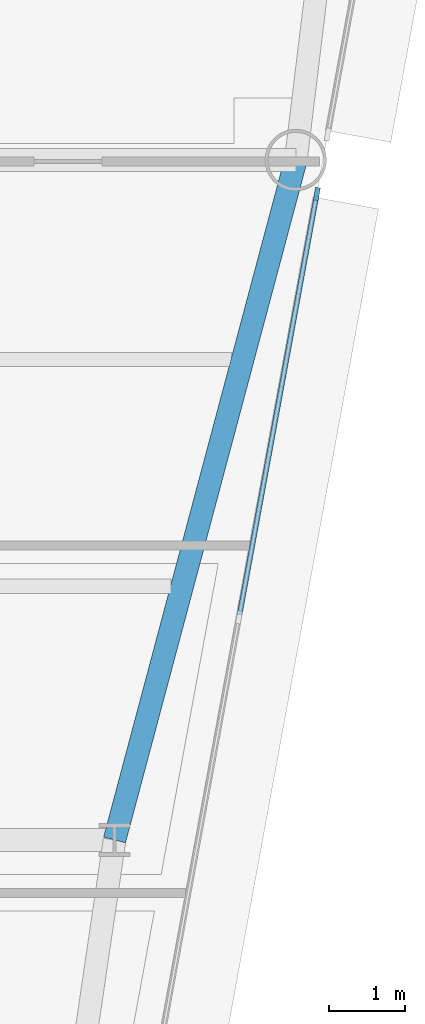
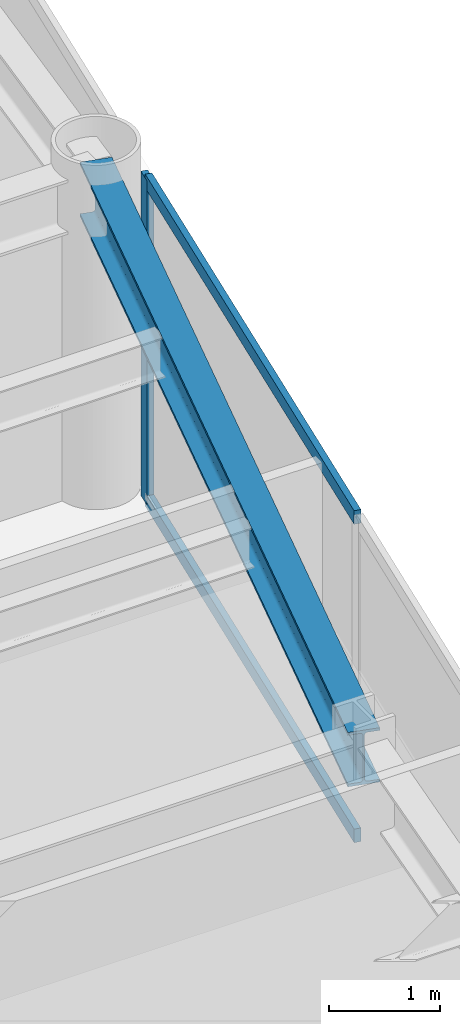
# One storey, part 6 of 17: 3 members, 1 beam, 1 element without a shape of its own.
"""IFC4 building model written with IfcOpenShell, lengths in metres."""

from ifc_helpers import new_model, si_unit, direction, frame, origin, origin_2d, place, context, subcontext, project, spatial, rectangle, i_section, extrude, source, transform, mapped, material, layer, layer_set, material_profile, profile_set, type_object, element, aggregate, save


model = new_model("IFC4")

# Units and contexts
model_context = context("Model", 3, precision=1e-05, world=origin(), true_north=direction((0.0, 1.0)))
body_context = subcontext(model_context, "Body", "Model", "MODEL_VIEW")
ifc_project = project(units=[si_unit("LENGTHUNIT", "METRE"), si_unit("AREAUNIT", "SQUARE_METRE"), si_unit("VOLUMEUNIT", "CUBIC_METRE"), si_unit("PLANEANGLEUNIT", "RADIAN"), si_unit("MASSUNIT", "GRAM", prefix="KILO")], contexts=[model_context])

# Site, building, storey
site_placement = place(None, origin())
site = spatial("IfcSite", under=ifc_project, at=site_placement, CompositionType="ELEMENT")
building_placement = place(site_placement, origin())
building = spatial("IfcBuilding", under=site, at=building_placement, Name="Vaeldorn Concourse Tower", CompositionType="ELEMENT")
storey_placement = place(building_placement, frame((0.0, 0.0, 180.39990234375)))
storey = spatial("IfcBuildingStorey", under=building, at=storey_placement, Name="L46", CompositionType="ELEMENT", Elevation=180.39990234375)

# Beam
ifc_material_1 = material(Name="Steel S355", Category="steel")
ifc_material_profile_1 = material_profile(ifc_material_1, i_section(OverallWidth=0.300048828125, OverallDepth=0.60009765625, WebThickness=0.015380859375, FlangeThickness=0.030029296875, FilletRadius=0.027099609375, at=origin_2d()), Name="HEB 600")
ifc_profile_set_1 = profile_set([ifc_material_profile_1], Name="Steel S355")
beam_type = type_object("IfcBeamType", Name="BM-PG-HEB600", PredefinedType="BEAM", material=ifc_profile_set_1)
shared_shape_1 = source(origin(), body_context, "Body", "SweptSolid", [
    extrude(i_section(OverallWidth=0.300048828125, OverallDepth=0.60009765625, WebThickness=0.015380859375, FlangeThickness=0.030029296875, FilletRadius=0.027099609375, at=origin_2d()), origin(), (0.0, 0.0, 1.0), 9.314453125),
])
beam_placement = place(storey_placement, frame((60.39990234375, 36.5, 3.280029296875), z_axis=(-0.257652862255, -0.966237549763, 0.0), x_axis=(0.966237549763, -0.257652862255, 0.0)))
element("IfcBeam", 1, at=beam_placement, inside=storey, type_object=beam_type, Name="Beam BM-L46-C-NE2-C-FLE1", PredefinedType="BEAM", context=body_context, shape_type="MappedRepresentation", body=[
    mapped(shared_shape_1, transform((0.0, 0.0, 0.0), scale=1.0)),
])

# Curtain wall, members
ifc_material_2 = material(Name="Anodised Bronze Aluminium", Category="aluminium")
ifc_layer = layer(ifc_material_2, 0.2099609375)
ifc_layer_set = layer_set([ifc_layer], Name="Anodised Bronze Aluminium")
curtain_wall_type = type_object("IfcCurtainWallType", Name="CW-SYS-06", PredefinedType="NOTDEFINED", material=ifc_layer_set)
curtain_wall_placement = place(storey_placement, origin())
curtain_wall = element("IfcCurtainWall", 2, at=curtain_wall_placement, inside=storey, type_object=curtain_wall_type, Name="Unitised Curtain Wall CW-L46-E07-1", PredefinedType="NOTDEFINED")
ifc_material_profile_2 = material_profile(ifc_material_2, rectangle(XDim=0.06494140625, YDim=0.169921875, at=origin_2d()), Name="CWM 65x170")
ifc_profile_set_2 = profile_set([ifc_material_profile_2], Name="Anodised Bronze Aluminium")
member_type_1 = type_object("IfcMemberType", Name="CWM-BRONZE-170", PredefinedType="MULLION", material=ifc_profile_set_2)
shared_shape_2 = source(origin(), body_context, "Body", "SweptSolid", [
    extrude(rectangle(XDim=0.06494140625, YDim=0.169921875, at=origin_2d()), origin(), (0.0, 0.0, 1.0), 3.580078125),
])
member_1_placement = place(storey_placement, frame((60.677734375, 36.051513671875, 0.0), z_axis=(0.0, 0.0, 1.0), x_axis=(-0.983559325018, 0.180585309951, 0.0)))
member_1 = element("IfcMember", 3, at=member_1_placement, type_object=member_type_1, Name="CW-06 mullion 6", PredefinedType="MULLION", context=body_context, shape_type="MappedRepresentation", body=[
    mapped(shared_shape_2, transform((0.0, 0.0, 0.0), scale=1.0)),
])
ifc_material_profile_3 = material_profile(ifc_material_2, rectangle(XDim=0.06494140625, YDim=0.14990234375, at=origin_2d()), Name="CWT 65x150")
ifc_profile_set_3 = profile_set([ifc_material_profile_3], Name="Anodised Bronze Aluminium")
member_type_2 = type_object("IfcMemberType", Name="CWT-BRONZE-150", PredefinedType="USERDEFINED", material=ifc_profile_set_3)
shared_shape_3 = source(origin(), body_context, "Body", "SweptSolid", [
    extrude(rectangle(XDim=0.06494140625, YDim=0.14990234375, at=origin_2d()), origin(), (0.0, 0.0, 1.0), 5.63330078125),
])
member_2_placement = place(storey_placement, frame((59.654541015625, 30.478759765625, 0.03271484375), z_axis=(0.180589917692, 0.983558479008, 0.0), x_axis=(-0.983558479008, 0.180589917692, 0.0)))
member_2 = element("IfcMember", 4, at=member_2_placement, type_object=member_type_2, Name="CW-06 transom 5.1", ObjectType="TRANSOM", PredefinedType="USERDEFINED", context=body_context, shape_type="MappedRepresentation", body=[
    mapped(shared_shape_3, transform((0.0, 0.0, 0.0), scale=1.0)),
])
member_3_placement = place(storey_placement, frame((59.654541015625, 30.478759765625, 3.547607421875), z_axis=(0.180589917692, 0.983558479008, 0.0), x_axis=(-0.983558479008, 0.180589917692, 0.0)))
member_3 = element("IfcMember", 5, at=member_3_placement, type_object=member_type_2, Name="CW-06 transom 5.2", ObjectType="TRANSOM", PredefinedType="USERDEFINED", context=body_context, shape_type="MappedRepresentation", body=[
    mapped(shared_shape_3, transform((0.0, 0.0, 0.0), scale=1.0)),
])
aggregate(curtain_wall, [member_1, member_2, member_3])

save(model, "model.ifc")
